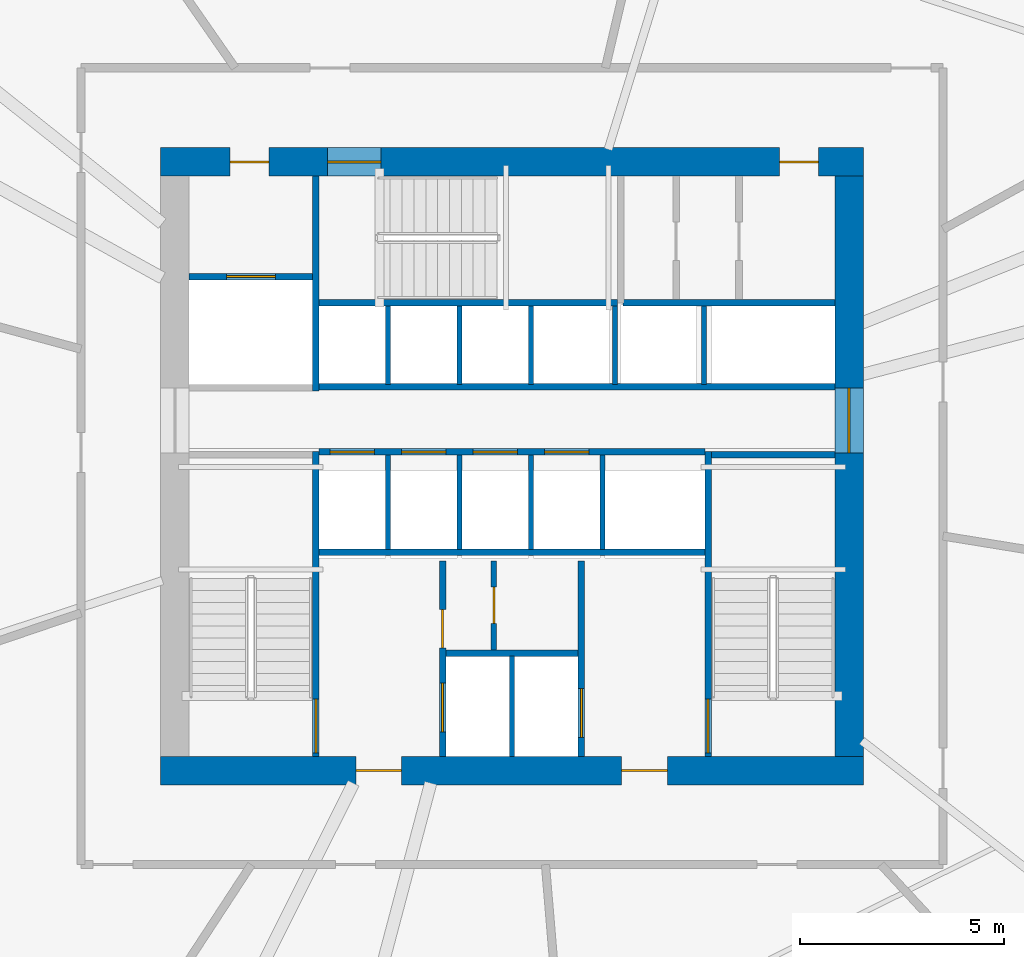
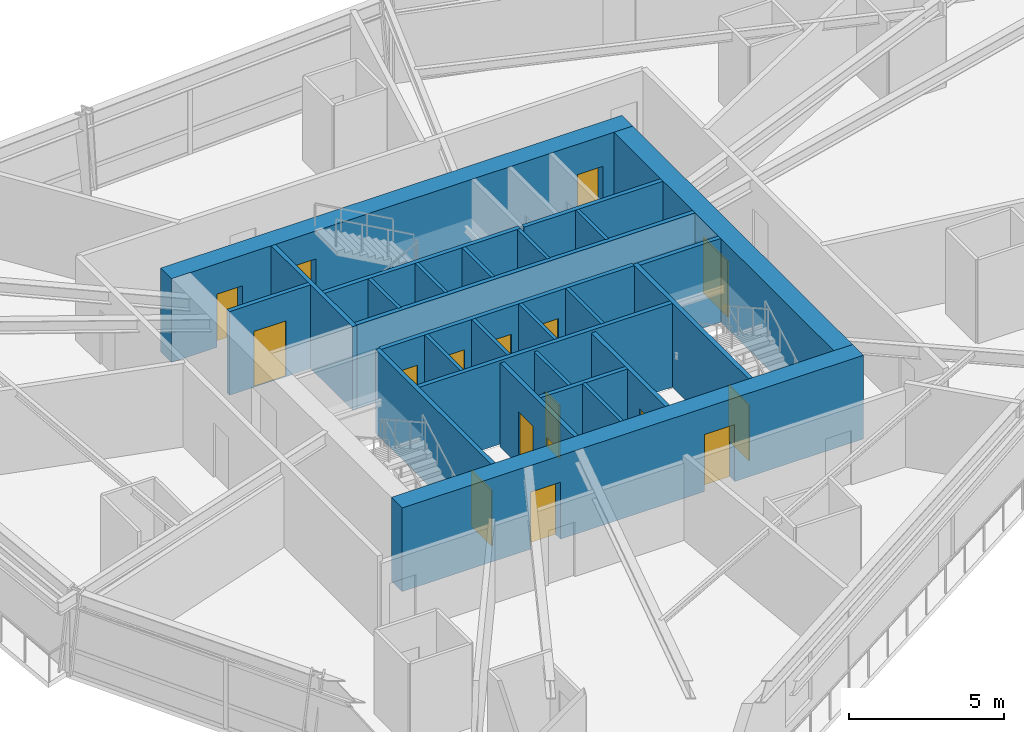
# One storey, part 15 of 21: 27 walls, 17 doors, 17 openings.
"""IFC4 building model written with IfcOpenShell, lengths in metres."""

from ifc_helpers import new_model, si_unit, direction, frame, frame_2d, origin, place, context, subcontext, project, spatial, rectangle, extrude, source, transform, mapped, material, layer, layer_set, type_object, type_shapes, element, fill, save


model = new_model("IFC4")

# Units and contexts
model_context = context("Model", 3, precision=1e-05, world=origin(), true_north=direction((0.0, 1.0)))
body_context = subcontext(model_context, "Body", "Model", "MODEL_VIEW")
ifc_project = project(units=[si_unit("LENGTHUNIT", "METRE"), si_unit("AREAUNIT", "SQUARE_METRE"), si_unit("VOLUMEUNIT", "CUBIC_METRE"), si_unit("PLANEANGLEUNIT", "RADIAN"), si_unit("MASSUNIT", "GRAM", prefix="KILO")], contexts=[model_context])

# Site, building, storey
site_placement = place(None, origin())
site = spatial("IfcSite", under=ifc_project, at=site_placement, CompositionType="ELEMENT")
building_placement = place(site_placement, origin())
building = spatial("IfcBuilding", under=site, at=building_placement, Name="Olszyna Solenne Hotel", CompositionType="ELEMENT")
storey_placement = place(building_placement, frame((0.0, 0.0, 105.699951171875)))
storey = spatial("IfcBuildingStorey", under=building, at=storey_placement, Name="L27", CompositionType="ELEMENT", Elevation=105.699951171875)

# Wall, openings, doors
ifc_material_1 = material(Name="Concrete C60/75", Category="concrete")
ifc_layer_1 = layer(ifc_material_1, 0.699951171875, Name="Concrete C60/75")
ifc_layer_set_1 = layer_set([ifc_layer_1], Name="Concrete C60/75")
wall_type_1 = type_object("IfcWallType", Name="WL-CR700", PredefinedType="SHEAR", material=ifc_layer_set_1)
wall_1_placement = place(storey_placement, frame((46.60009765625, 19.14990234375, 0.0), z_axis=(0.0, 0.0, 1.0), x_axis=(-1.0, 0.0, 0.0)))
wall_1 = element("IfcWall", 1, at=wall_1_placement, inside=storey, type_object=wall_type_1, Name="Core shear wall WL-CR700 CRW-L27-S", PredefinedType="SHEAR", context=body_context, shape_type="SweptSolid", body=[
    extrude(rectangle(XDim=17.2001953125, YDim=0.699951171875, at=frame_2d((8.60009765625, 0.0))), origin(), (0.0, 0.0, 1.0), 3.300048828125),
])
opening_1_placement = place(wall_1_placement, frame((4.800048828125, 0.0, 0.0)))
opening_1 = element("IfcOpeningElement", 2, at=opening_1_placement, cuts=wall_1, Name="Opening FL-L27-1", PredefinedType="OPENING", context=body_context, shape_type="SweptSolid", body=[
    extrude(rectangle(XDim=1.1201171875, YDim=2.25, at=frame_2d((0.56005859375, 1.125))), frame((0.0, 0.35986328125, 0.0), z_axis=(0.0, -1.0, 0.0), x_axis=(1.0, 0.0, 0.0)), (0.0, 0.0, 1.0), 0.719970703125),
])
opening_2_placement = place(wall_1_placement, frame((11.300048828125, 0.0, 0.0)))
opening_2 = element("IfcOpeningElement", 3, at=opening_2_placement, cuts=wall_1, Name="Opening FL-L27-2", PredefinedType="OPENING", context=body_context, shape_type="SweptSolid", body=[
    extrude(rectangle(XDim=1.1201171875, YDim=2.25, at=frame_2d((0.56005859375, 1.125))), frame((0.0, 0.35986328125, 0.0), z_axis=(0.0, -1.0, 0.0), x_axis=(1.0, 0.0, 0.0)), (0.0, 0.0, 1.0), 0.719970703125),
])
ifc_material_2 = material(Name="Steel S355J2", Category="steel")
door_type_1 = type_object("IfcDoorType", Name="DR-FL1", OperationType="NOTDEFINED", PredefinedType="DOOR", material=ifc_material_2)
shared_shape_1 = source(origin(), body_context, "Body", "SweptSolid", [
    extrude(rectangle(XDim=1.1201171875, YDim=2.25, at=frame_2d((0.56005859375, 1.125))), frame((0.0, 0.02490234375, 0.0), z_axis=(0.0, -1.0, 0.0), x_axis=(1.0, 0.0, 0.0)), (0.0, 0.0, 1.0), 0.050048828125),
])
type_shapes(door_type_1, [shared_shape_1])
door_1_placement = place(opening_1_placement, origin())
door_1 = element("IfcDoor", 4, at=door_1_placement, inside=storey, type_object=door_type_1, Name="Firefighting lift lobby smoke door FL-L27-1", OperationType="SINGLE_SWING_LEFT", OverallHeight=2.25, OverallWidth=1.1201171875, PredefinedType="DOOR", context=body_context, shape_type="MappedRepresentation", body=[
    mapped(shared_shape_1, transform((0.0, 0.0, 0.0), x_axis=(1.0, 0.0, 0.0), y_axis=(0.0, 1.0, 0.0), z_axis=(0.0, 0.0, 1.0), scale=1.0)),
])
fill(opening_1, door_1)
door_2_placement = place(opening_2_placement, origin())
door_2 = element("IfcDoor", 5, at=door_2_placement, inside=storey, type_object=door_type_1, Name="Firefighting lift lobby smoke door FL-L27-2", OperationType="SINGLE_SWING_RIGHT", OverallHeight=2.25, OverallWidth=1.1201171875, PredefinedType="DOOR", context=body_context, shape_type="MappedRepresentation", body=[
    mapped(shared_shape_1, transform((0.0, 0.0, 0.0), x_axis=(1.0, 0.0, 0.0), y_axis=(0.0, 1.0, 0.0), z_axis=(0.0, 0.0, 1.0), scale=1.0)),
])
fill(opening_2, door_2)

wall_2_placement = place(storey_placement, frame((29.39990234375, 34.050048828125, 0.0), z_axis=(0.0, 0.0, 1.0), x_axis=(1.0, 0.0, 0.0)))
wall_2 = element("IfcWall", 6, at=wall_2_placement, inside=storey, type_object=wall_type_1, Name="Core shear wall WL-CR700 CRW-L27-N", PredefinedType="SHEAR", context=body_context, shape_type="SweptSolid", body=[
    extrude(rectangle(XDim=17.2001953125, YDim=0.699951171875, at=frame_2d((8.60009765625, 0.0))), origin(), (0.0, 0.0, 1.0), 3.300048828125),
])
opening_3_placement = place(wall_2_placement, frame((1.699951171875, 0.0, 0.0)))
opening_3 = element("IfcOpeningElement", 7, at=opening_3_placement, cuts=wall_2, Name="Opening SVD-L27-01", PredefinedType="OPENING", context=body_context, shape_type="SweptSolid", body=[
    extrude(rectangle(XDim=0.949951171875, YDim=2.10009765625, at=frame_2d((0.47509765625, 1.050048828125))), frame((0.0, 0.35986328125, 0.0), z_axis=(0.0, -1.0, 0.0), x_axis=(1.0, 0.0, 0.0)), (0.0, 0.0, 1.0), 0.719970703125),
])
opening_4_placement = place(wall_2_placement, frame((4.080078125, 0.0, 0.0)))
opening_4 = element("IfcOpeningElement", 8, at=opening_4_placement, cuts=wall_2, Name="Opening STD-L27-03", PredefinedType="OPENING", context=body_context, shape_type="SweptSolid", body=[
    extrude(rectangle(XDim=1.320068359375, YDim=2.199951171875, at=frame_2d((0.66015625, 1.10009765625))), frame((0.0, 0.35986328125, 0.0), z_axis=(0.0, -1.0, 0.0), x_axis=(1.0, 0.0, 0.0)), (0.0, 0.0, 1.0), 0.719970703125),
])
opening_5_placement = place(wall_2_placement, frame((15.14990234375, 0.0, 0.0)))
opening_5 = element("IfcOpeningElement", 9, at=opening_5_placement, cuts=wall_2, Name="Opening SVD-L27-BN", PredefinedType="OPENING", context=body_context, shape_type="SweptSolid", body=[
    extrude(rectangle(XDim=0.949951171875, YDim=2.10009765625, at=frame_2d((0.47509765625, 1.050048828125))), frame((0.0, 0.35986328125, 0.0), z_axis=(0.0, -1.0, 0.0), x_axis=(1.0, 0.0, 0.0)), (0.0, 0.0, 1.0), 0.719970703125),
])
door_type_2 = type_object("IfcDoorType", Name="DR-ST1", OperationType="NOTDEFINED", PredefinedType="DOOR", material=ifc_material_2)
shared_shape_2 = source(origin(), body_context, "Body", "SweptSolid", [
    extrude(rectangle(XDim=1.320068359375, YDim=2.199951171875, at=frame_2d((0.66015625, 1.10009765625))), frame((0.0, 0.02490234375, 0.0), z_axis=(0.0, -1.0, 0.0), x_axis=(1.0, 0.0, 0.0)), (0.0, 0.0, 1.0), 0.050048828125),
])
type_shapes(door_type_2, [shared_shape_2])
door_3_placement = place(opening_4_placement, origin())
door_3 = element("IfcDoor", 10, at=door_3_placement, inside=storey, type_object=door_type_2, Name="Pressurised exit stair ST3 fire door STD-L27-03", OperationType="SINGLE_SWING_RIGHT", OverallHeight=2.199951171875, OverallWidth=1.320068359375, PredefinedType="DOOR", context=body_context, shape_type="MappedRepresentation", body=[
    mapped(shared_shape_2, transform((0.0, 0.0, 0.0), x_axis=(1.0, 0.0, 0.0), y_axis=(0.0, 1.0, 0.0), z_axis=(0.0, 0.0, 1.0), scale=1.0)),
])
fill(opening_4, door_3)
door_type_3 = type_object("IfcDoorType", Name="DR-SV1", OperationType="NOTDEFINED", PredefinedType="DOOR", material=ifc_material_2)
shared_shape_3 = source(origin(), body_context, "Body", "SweptSolid", [
    extrude(rectangle(XDim=0.949951171875, YDim=2.10009765625, at=frame_2d((0.47509765625, 1.050048828125))), frame((0.0, 0.02490234375, 0.0), z_axis=(0.0, -1.0, 0.0), x_axis=(1.0, 0.0, 0.0)), (0.0, 0.0, 1.0), 0.050048828125),
])
type_shapes(door_type_3, [shared_shape_3])
door_4_placement = place(opening_3_placement, origin())
door_4 = element("IfcDoor", 11, at=door_4_placement, inside=storey, type_object=door_type_3, Name="Service lift lobby fire door SVD-L27-01", OperationType="SINGLE_SWING_LEFT", OverallHeight=2.10009765625, OverallWidth=0.949951171875, PredefinedType="DOOR", context=body_context, shape_type="MappedRepresentation", body=[
    mapped(shared_shape_3, transform((0.0, 0.0, 0.0), x_axis=(1.0, 0.0, 0.0), y_axis=(0.0, 1.0, 0.0), z_axis=(0.0, 0.0, 1.0), scale=1.0)),
])
fill(opening_3, door_4)
door_5_placement = place(opening_5_placement, origin())
door_5 = element("IfcDoor", 12, at=door_5_placement, inside=storey, type_object=door_type_3, Name="Housekeeping core fire door SVD-L27-BN", OperationType="SINGLE_SWING_LEFT", OverallHeight=2.10009765625, OverallWidth=0.949951171875, PredefinedType="DOOR", context=body_context, shape_type="MappedRepresentation", body=[
    mapped(shared_shape_3, transform((0.0, 0.0, 0.0), x_axis=(1.0, 0.0, 0.0), y_axis=(0.0, 1.0, 0.0), z_axis=(0.0, 0.0, 1.0), scale=1.0)),
])
fill(opening_5, door_5)

# Wall, opening, door
wall_3_placement = place(storey_placement, frame((46.25, 33.699951171875, 0.0), z_axis=(0.0, 0.0, 1.0), x_axis=(0.0, -1.0, 0.0)))
wall_3 = element("IfcWall", 13, at=wall_3_placement, inside=storey, type_object=wall_type_1, Name="Core shear wall WL-CR700 CRW-L27-E", PredefinedType="SHEAR", context=body_context, shape_type="SweptSolid", body=[
    extrude(rectangle(XDim=14.199951171875, YDim=0.699951171875, at=frame_2d((7.10009765625, 0.0))), origin(), (0.0, 0.0, 1.0), 3.300048828125),
])
opening_6_placement = place(wall_3_placement, frame((5.179931640625, 0.0, 0.0)))
opening_6 = element("IfcOpeningElement", 14, at=opening_6_placement, cuts=wall_3, Name="Opening LHD-L27-E", PredefinedType="OPENING", context=body_context, shape_type="SweptSolid", body=[
    extrude(rectangle(XDim=1.60009765625, YDim=2.199951171875, at=frame_2d((0.800048828125, 1.10009765625))), frame((0.0, 0.35986328125, 0.0), z_axis=(0.0, -1.0, 0.0), x_axis=(1.0, 0.0, 0.0)), (0.0, 0.0, 1.0), 0.719970703125),
])
ifc_material_3 = material(Name="Timber hardwood", Category="wood")
door_type_4 = type_object("IfcDoorType", Name="DR-CR1", OperationType="DOUBLE_DOOR_SINGLE_SWING", PredefinedType="DOOR", material=ifc_material_3)
shared_shape_4 = source(origin(), body_context, "Body", "SweptSolid", [
    extrude(rectangle(XDim=1.60009765625, YDim=2.199951171875, at=frame_2d((0.800048828125, 1.10009765625))), frame((0.0, 0.02490234375, 0.0), z_axis=(0.0, -1.0, 0.0), x_axis=(1.0, 0.0, 0.0)), (0.0, 0.0, 1.0), 0.050048828125),
])
type_shapes(door_type_4, [shared_shape_4])
door_6_placement = place(opening_6_placement, origin())
door_6 = element("IfcDoor", 15, at=door_6_placement, inside=storey, type_object=door_type_4, Name="Passenger lift lobby East fire door LHD-L27-E", OperationType="DOUBLE_DOOR_SINGLE_SWING", OverallHeight=2.199951171875, OverallWidth=1.60009765625, PredefinedType="DOOR", context=body_context, shape_type="MappedRepresentation", body=[
    mapped(shared_shape_4, transform((0.0, 0.0, 0.0), x_axis=(1.0, 0.0, 0.0), y_axis=(0.0, 1.0, 0.0), z_axis=(0.0, 0.0, 1.0), scale=1.0)),
])
fill(opening_6, door_6)

# Wall
ifc_material_4 = material(Name="Acoustic gypsum partition", Category="gypsum")
ifc_layer_2 = layer(ifc_material_4, 0.125, Name="Acoustic gypsum partition")
ifc_layer_set_2 = layer_set([ifc_layer_2], Name="Acoustic gypsum partition")
wall_type_2 = type_object("IfcWallType", Name="WL-PT125", PredefinedType="PARTITIONING", material=ifc_layer_set_2)
wall_4_placement = place(storey_placement, frame((38.0, 19.5, 0.0), z_axis=(0.0, 0.0, 1.0), x_axis=(0.0, 1.0, 0.0)))
element("IfcWall", 16, at=wall_4_placement, inside=storey, type_object=wall_type_2, Name="Core shaft compartment wall CW-L27-FFM", PredefinedType="PARTITIONING", context=body_context, shape_type="SweptSolid", body=[
    extrude(rectangle(XDim=2.4599609375, YDim=0.125, at=frame_2d((1.22998046875, 0.0))), origin(), (0.0, 0.0, 1.0), 3.300048828125),
])

# Wall, opening, door
wall_5_placement = place(storey_placement, frame((37.553955078125, 22.10009765625, 0.0), z_axis=(0.0, 0.0, 1.0), x_axis=(0.0, 1.0, 0.0)))
wall_5 = element("IfcWall", 17, at=wall_5_placement, inside=storey, type_object=wall_type_2, Name="Core shaft compartment wall CW-L27-SC3", PredefinedType="PARTITIONING", context=body_context, shape_type="SweptSolid", body=[
    extrude(rectangle(XDim=2.179931640625, YDim=0.125, at=frame_2d((1.08984375, 0.0))), origin(), (0.0, 0.0, 1.0), 3.300048828125),
])
opening_7_placement = place(wall_5_placement, frame((0.64990234375, 0.0, 0.0)))
opening_7 = element("IfcOpeningElement", 18, at=opening_7_placement, cuts=wall_5, Name="Opening SVD-L27-SC3", PredefinedType="OPENING", context=body_context, shape_type="SweptSolid", body=[
    extrude(rectangle(XDim=0.89990234375, YDim=2.10009765625, at=frame_2d((0.449951171875, 1.050048828125))), frame((0.0, 0.072509765625, 0.0), z_axis=(0.0, -1.0, 0.0), x_axis=(1.0, 0.0, 0.0)), (0.0, 0.0, 1.0), 0.14501953125),
])
door_type_5 = type_object("IfcDoorType", Name="DR-WC1", OperationType="NOTDEFINED", PredefinedType="DOOR", material=ifc_material_3)
shared_shape_5 = source(origin(), body_context, "Body", "SweptSolid", [
    extrude(rectangle(XDim=0.89990234375, YDim=2.10009765625, at=frame_2d((0.449951171875, 1.050048828125))), frame((0.0, 0.02490234375, 0.0), z_axis=(0.0, -1.0, 0.0), x_axis=(1.0, 0.0, 0.0)), (0.0, 0.0, 1.0), 0.050048828125),
])
type_shapes(door_type_5, [shared_shape_5])
door_7_placement = place(opening_7_placement, origin())
door_7 = element("IfcDoor", 19, at=door_7_placement, inside=storey, type_object=door_type_5, Name="Trolley bay door SVD-L27-SC3", OperationType="SINGLE_SWING_LEFT", OverallHeight=2.10009765625, OverallWidth=0.89990234375, PredefinedType="DOOR", context=body_context, shape_type="MappedRepresentation", body=[
    mapped(shared_shape_5, transform((0.0, 0.0, 0.0), x_axis=(1.0, 0.0, 0.0), y_axis=(0.0, 1.0, 0.0), z_axis=(0.0, 0.0, 1.0), scale=1.0)),
])
fill(opening_7, door_7)

# Walls
for number, where, z_axis, x_axis, name in (
    (20, (34.965087890625, 24.56005859375, 0.0), (0.0, 0.0, 1.0), (0.0, 1.0, 0.0), "Core shaft compartment wall CW-L27-DIVS349"),
    (21, (36.715087890625, 24.56005859375, 0.0), (0.0, 0.0, 1.0), (0.0, 1.0, 0.0), "Core shaft compartment wall CW-L27-DIVS367"),
    (22, (38.465087890625, 24.56005859375, 0.0), (0.0, 0.0, 1.0), (0.0, 1.0, 0.0), "Core shaft compartment wall CW-L27-DIVS384"),
    (23, (40.215087890625, 24.56005859375, 0.0), (0.0, 0.0, 1.0), (0.0, 1.0, 0.0), "Core shaft compartment wall CW-L27-DIVS402"),
):
    element("IfcWall", number, at=place(storey_placement, frame(where, z_axis=z_axis, x_axis=x_axis)), inside=storey, type_object=wall_type_2, Name=name, PredefinedType="PARTITIONING", context=body_context, shape_type="SweptSolid", body=[
        extrude(rectangle(XDim=2.31005859375, YDim=0.125, at=frame_2d((1.155029296875, 0.0))), origin(), (0.0, 0.0, 1.0), 3.300048828125),
    ])
for number, where, z_axis, x_axis, name in (
    (24, (34.965087890625, 28.60009765625, 0.0), (0.0, 0.0, 1.0), (0.0, 1.0, 0.0), "Core shaft compartment wall CW-L27-DIVN349"),
    (25, (36.715087890625, 28.60009765625, 0.0), (0.0, 0.0, 1.0), (0.0, 1.0, 0.0), "Core shaft compartment wall CW-L27-DIVN367"),
    (26, (38.465087890625, 28.60009765625, 0.0), (0.0, 0.0, 1.0), (0.0, 1.0, 0.0), "Core shaft compartment wall CW-L27-DIVN384"),
    (27, (40.52490234375, 28.60009765625, 0.0), (0.0, 0.0, 1.0), (0.0, 1.0, 0.0), "Core shaft compartment wall CW-L27-DIVEX405"),
    (28, (42.699951171875, 28.60009765625, 0.0), (0.0, 0.0, 1.0), (0.0, 1.0, 0.0), "Core shaft compartment wall CW-L27-DIVEX427"),
):
    element("IfcWall", number, at=place(storey_placement, frame(where, z_axis=z_axis, x_axis=x_axis)), inside=storey, type_object=wall_type_2, Name=name, PredefinedType="PARTITIONING", context=body_context, shape_type="SweptSolid", body=[
        extrude(rectangle(XDim=1.919921875, YDim=0.125, at=frame_2d((0.9599609375, 0.0))), origin(), (0.0, 0.0, 1.0), 3.300048828125),
    ])

# Wall, opening, door
ifc_layer_3 = layer(ifc_material_4, 0.159912109375, Name="Acoustic gypsum partition")
ifc_layer_set_3 = layer_set([ifc_layer_3], Name="Acoustic gypsum partition")
wall_type_3 = type_object("IfcWallType", Name="WL-PT160", PredefinedType="PARTITIONING", material=ifc_layer_set_3)
wall_6_placement = place(storey_placement, frame((33.199951171875, 19.5, 0.0), z_axis=(0.0, 0.0, 1.0), x_axis=(0.0, 1.0, 0.0)))
wall_6 = element("IfcWall", 29, at=wall_6_placement, inside=storey, type_object=wall_type_3, Name="Core shaft compartment wall CW-L27-ST1E", PredefinedType="PARTITIONING", context=body_context, shape_type="SweptSolid", body=[
    extrude(rectangle(XDim=7.4599609375, YDim=0.159912109375, at=frame_2d((3.72998046875, 0.0))), origin(), (0.0, 0.0, 1.0), 3.300048828125),
])
opening_8_placement = place(wall_6_placement, frame((0.080078125, 0.0, 0.0)))
opening_8 = element("IfcOpeningElement", 30, at=opening_8_placement, cuts=wall_6, Name="Opening STD-L27-01", PredefinedType="OPENING", context=body_context, shape_type="SweptSolid", body=[
    extrude(rectangle(XDim=1.320068359375, YDim=2.199951171875, at=frame_2d((0.66015625, 1.10009765625))), frame((0.0, 0.08984375, 0.0), z_axis=(0.0, -1.0, 0.0), x_axis=(1.0, 0.0, 0.0)), (0.0, 0.0, 1.0), 0.179931640625),
])
door_8_placement = place(opening_8_placement, origin())
door_8 = element("IfcDoor", 31, at=door_8_placement, inside=storey, type_object=door_type_2, Name="Pressurised exit stair ST1 fire door STD-L27-01", OperationType="SINGLE_SWING_LEFT", OverallHeight=2.199951171875, OverallWidth=1.320068359375, PredefinedType="DOOR", context=body_context, shape_type="MappedRepresentation", body=[
    mapped(shared_shape_2, transform((0.0, 0.0, 0.0), x_axis=(1.0, 0.0, 0.0), y_axis=(0.0, 1.0, 0.0), z_axis=(0.0, 0.0, 1.0), scale=1.0)),
])
fill(opening_8, door_8)

wall_7_placement = place(storey_placement, frame((42.800048828125, 26.9599609375, 0.0), z_axis=(0.0, 0.0, 1.0), x_axis=(0.0, -1.0, 0.0)))
wall_7 = element("IfcWall", 32, at=wall_7_placement, inside=storey, type_object=wall_type_3, Name="Core shaft compartment wall CW-L27-ST2W", PredefinedType="PARTITIONING", context=body_context, shape_type="SweptSolid", body=[
    extrude(rectangle(XDim=7.4599609375, YDim=0.159912109375, at=frame_2d((3.72998046875, 0.0))), origin(), (0.0, 0.0, 1.0), 3.300048828125),
])
opening_9_placement = place(wall_7_placement, frame((6.06005859375, 0.0, 0.0)))
opening_9 = element("IfcOpeningElement", 33, at=opening_9_placement, cuts=wall_7, Name="Opening STD-L27-02", PredefinedType="OPENING", context=body_context, shape_type="SweptSolid", body=[
    extrude(rectangle(XDim=1.320068359375, YDim=2.199951171875, at=frame_2d((0.66015625, 1.10009765625))), frame((0.0, 0.08984375, 0.0), z_axis=(0.0, -1.0, 0.0), x_axis=(1.0, 0.0, 0.0)), (0.0, 0.0, 1.0), 0.179931640625),
])
door_9_placement = place(opening_9_placement, origin())
door_9 = element("IfcDoor", 34, at=door_9_placement, inside=storey, type_object=door_type_2, Name="Pressurised exit stair ST2 fire door STD-L27-02", OperationType="SINGLE_SWING_RIGHT", OverallHeight=2.199951171875, OverallWidth=1.320068359375, PredefinedType="DOOR", context=body_context, shape_type="MappedRepresentation", body=[
    mapped(shared_shape_2, transform((0.0, 0.0, 0.0), x_axis=(1.0, 0.0, 0.0), y_axis=(0.0, 1.0, 0.0), z_axis=(0.0, 0.0, 1.0), scale=1.0)),
])
fill(opening_9, door_9)

# Walls
wall_8_placement = place(storey_placement, frame((42.8798828125, 26.8798828125, 0.0), z_axis=(0.0, 0.0, 1.0), x_axis=(1.0, 0.0, 0.0)))
element("IfcWall", 35, at=wall_8_placement, inside=storey, type_object=wall_type_3, Name="Core shaft compartment wall CW-L27-ST2N", PredefinedType="PARTITIONING", context=body_context, shape_type="SweptSolid", body=[
    extrude(rectangle(XDim=3.02001953125, YDim=0.159912109375, at=frame_2d((1.510009765625, 0.0))), origin(), (0.0, 0.0, 1.0), 3.300048828125),
])
wall_9_placement = place(storey_placement, frame((33.280029296875, 30.60009765625, 0.0), z_axis=(0.0, 0.0, 1.0), x_axis=(1.0, 0.0, 0.0)))
element("IfcWall", 36, at=wall_9_placement, inside=storey, type_object=wall_type_3, Name="Core shaft compartment wall CW-L27-ST3S", PredefinedType="PARTITIONING", context=body_context, shape_type="SweptSolid", body=[
    extrude(rectangle(XDim=7.300048828125, YDim=0.159912109375, at=frame_2d((3.64990234375, 0.0))), origin(), (0.0, 0.0, 1.0), 3.300048828125),
])

# Wall, openings, doors
wall_10_placement = place(storey_placement, frame((36.300048828125, 19.5, 0.0), z_axis=(0.0, 0.0, 1.0), x_axis=(0.0, 1.0, 0.0)))
wall_10 = element("IfcWall", 37, at=wall_10_placement, inside=storey, type_object=wall_type_3, Name="Core shaft compartment wall CW-L27-FF1W", PredefinedType="PARTITIONING", context=body_context, shape_type="SweptSolid", body=[
    extrude(rectangle(XDim=4.780029296875, YDim=0.159912109375, at=frame_2d((2.39013671875, 0.0))), origin(), (0.0, 0.0, 1.0), 3.300048828125),
])
opening_10_placement = place(wall_10_placement, frame((0.60009765625, 0.0, 0.0)))
opening_10 = element("IfcOpeningElement", 38, at=opening_10_placement, cuts=wall_10, Name="Opening LD-L27-FF1", PredefinedType="OPENING", context=body_context, shape_type="SweptSolid", body=[
    extrude(rectangle(XDim=1.199951171875, YDim=2.199951171875, at=frame_2d((0.60009765625, 1.10009765625))), frame((0.0, 0.08984375, 0.0), z_axis=(0.0, -1.0, 0.0), x_axis=(1.0, 0.0, 0.0)), (0.0, 0.0, 1.0), 0.179931640625),
])
opening_11_placement = place(wall_10_placement, frame((2.64990234375, 0.0, 0.0)))
opening_11 = element("IfcOpeningElement", 39, at=opening_11_placement, cuts=wall_10, Name="Opening SVD-L27-SMK", PredefinedType="OPENING", context=body_context, shape_type="SweptSolid", body=[
    extrude(rectangle(XDim=0.949951171875, YDim=2.10009765625, at=frame_2d((0.47509765625, 1.050048828125))), frame((0.0, 0.08984375, 0.0), z_axis=(0.0, -1.0, 0.0), x_axis=(1.0, 0.0, 0.0)), (0.0, 0.0, 1.0), 0.179931640625),
])
door_10_placement = place(opening_11_placement, origin())
door_10 = element("IfcDoor", 40, at=door_10_placement, inside=storey, type_object=door_type_3, Name="Valet and core service room door SVD-L27-SMK", OperationType="SINGLE_SWING_LEFT", OverallHeight=2.10009765625, OverallWidth=0.949951171875, PredefinedType="DOOR", context=body_context, shape_type="MappedRepresentation", body=[
    mapped(shared_shape_3, transform((0.0, 0.0, 0.0), x_axis=(1.0, 0.0, 0.0), y_axis=(0.0, 1.0, 0.0), z_axis=(0.0, 0.0, 1.0), scale=1.0)),
])
fill(opening_11, door_10)
door_type_6 = type_object("IfcDoorType", Name="LD-FF1", OperationType="DOUBLE_DOOR_SLIDING", PredefinedType="DOOR", material=ifc_material_2)
shared_shape_6 = source(origin(), body_context, "Body", "SweptSolid", [
    extrude(rectangle(XDim=1.199951171875, YDim=2.199951171875, at=frame_2d((0.60009765625, 1.10009765625))), frame((0.0, 0.02490234375, 0.0), z_axis=(0.0, -1.0, 0.0), x_axis=(1.0, 0.0, 0.0)), (0.0, 0.0, 1.0), 0.050048828125),
])
type_shapes(door_type_6, [shared_shape_6])
door_11_placement = place(opening_10_placement, origin())
door_11 = element("IfcDoor", 41, at=door_11_placement, inside=storey, type_object=door_type_6, Name="Firefighters lift FF1 sliding landing door LD-L27-FF1", OperationType="DOUBLE_DOOR_SLIDING", OverallHeight=2.199951171875, OverallWidth=1.199951171875, PredefinedType="DOOR", context=body_context, shape_type="MappedRepresentation", body=[
    mapped(shared_shape_6, transform((0.0, 0.0, 0.0), x_axis=(1.0, 0.0, 0.0), y_axis=(0.0, 1.0, 0.0), z_axis=(0.0, 0.0, 1.0), scale=1.0)),
])
fill(opening_10, door_11)

# Wall, opening, door
wall_11_placement = place(storey_placement, frame((39.699951171875, 24.280029296875, 0.0), z_axis=(0.0, 0.0, 1.0), x_axis=(0.0, -1.0, 0.0)))
wall_11 = element("IfcWall", 42, at=wall_11_placement, inside=storey, type_object=wall_type_3, Name="Core shaft compartment wall CW-L27-FF2E", PredefinedType="PARTITIONING", context=body_context, shape_type="SweptSolid", body=[
    extrude(rectangle(XDim=4.780029296875, YDim=0.159912109375, at=frame_2d((2.39013671875, 0.0))), origin(), (0.0, 0.0, 1.0), 3.300048828125),
])
opening_12_placement = place(wall_11_placement, frame((3.1201171875, 0.0, 0.0)))
opening_12 = element("IfcOpeningElement", 43, at=opening_12_placement, cuts=wall_11, Name="Opening LD-L27-FF2", PredefinedType="OPENING", context=body_context, shape_type="SweptSolid", body=[
    extrude(rectangle(XDim=1.199951171875, YDim=2.199951171875, at=frame_2d((0.60009765625, 1.10009765625))), frame((0.0, 0.08984375, 0.0), z_axis=(0.0, -1.0, 0.0), x_axis=(1.0, 0.0, 0.0)), (0.0, 0.0, 1.0), 0.179931640625),
])
door_12_placement = place(opening_12_placement, origin())
door_12 = element("IfcDoor", 44, at=door_12_placement, inside=storey, type_object=door_type_6, Name="Firefighters lift FF2 sliding landing door LD-L27-FF2", OperationType="DOUBLE_DOOR_SLIDING", OverallHeight=2.199951171875, OverallWidth=1.199951171875, PredefinedType="DOOR", context=body_context, shape_type="MappedRepresentation", body=[
    mapped(shared_shape_6, transform((0.0, 0.0, 0.0), x_axis=(1.0, 0.0, 0.0), y_axis=(0.0, 1.0, 0.0), z_axis=(0.0, 0.0, 1.0), scale=1.0)),
])
fill(opening_12, door_12)

# Walls
wall_12_placement = place(storey_placement, frame((36.3798828125, 22.02001953125, 0.0), z_axis=(0.0, 0.0, 1.0), x_axis=(1.0, 0.0, 0.0)))
element("IfcWall", 45, at=wall_12_placement, inside=storey, type_object=wall_type_3, Name="Core shaft compartment wall CW-L27-FFN", PredefinedType="PARTITIONING", context=body_context, shape_type="SweptSolid", body=[
    extrude(rectangle(XDim=3.240234375, YDim=0.159912109375, at=frame_2d((1.6201171875, 0.0))), origin(), (0.0, 0.0, 1.0), 3.300048828125),
])
wall_13_placement = place(storey_placement, frame((33.280029296875, 24.489990234375, 0.0), z_axis=(0.0, 0.0, 1.0), x_axis=(1.0, 0.0, 0.0)))
element("IfcWall", 46, at=wall_13_placement, inside=storey, type_object=wall_type_3, Name="Core shaft compartment wall CW-L27-FFBN", PredefinedType="PARTITIONING", context=body_context, shape_type="SweptSolid", body=[
    extrude(rectangle(XDim=9.43994140625, YDim=0.159912109375, at=frame_2d((4.719970703125, 0.0))), origin(), (0.0, 0.0, 1.0), 3.300048828125),
])
wall_14_placement = place(storey_placement, frame((33.199951171875, 28.43994140625, 0.0), z_axis=(0.0, 0.0, 1.0), x_axis=(0.0, 1.0, 0.0)))
element("IfcWall", 47, at=wall_14_placement, inside=storey, type_object=wall_type_3, Name="Core shaft compartment wall CW-L27-SV1E", PredefinedType="PARTITIONING", context=body_context, shape_type="SweptSolid", body=[
    extrude(rectangle(XDim=5.260009765625, YDim=0.159912109375, at=frame_2d((2.6298828125, 0.0))), origin(), (0.0, 0.0, 1.0), 3.300048828125),
])

# Wall, opening, door
wall_15_placement = place(storey_placement, frame((30.10009765625, 31.239990234375, 0.0), z_axis=(0.0, 0.0, 1.0), x_axis=(1.0, 0.0, 0.0)))
wall_15 = element("IfcWall", 48, at=wall_15_placement, inside=storey, type_object=wall_type_3, Name="Core shaft compartment wall CW-L27-SV1N", PredefinedType="PARTITIONING", context=body_context, shape_type="SweptSolid", body=[
    extrude(rectangle(XDim=3.02001953125, YDim=0.159912109375, at=frame_2d((1.510009765625, 0.0))), origin(), (0.0, 0.0, 1.0), 3.300048828125),
])
opening_13_placement = place(wall_15_placement, frame((0.909912109375, 0.0, 0.0)))
opening_13 = element("IfcOpeningElement", 49, at=opening_13_placement, cuts=wall_15, Name="Opening LD-L27-SV1", PredefinedType="OPENING", context=body_context, shape_type="SweptSolid", body=[
    extrude(rectangle(XDim=1.199951171875, YDim=2.199951171875, at=frame_2d((0.60009765625, 1.10009765625))), frame((0.0, 0.08984375, 0.0), z_axis=(0.0, -1.0, 0.0), x_axis=(1.0, 0.0, 0.0)), (0.0, 0.0, 1.0), 0.179931640625),
])
door_13_placement = place(opening_13_placement, origin())
door_13 = element("IfcDoor", 50, at=door_13_placement, inside=storey, type_object=door_type_6, Name="Service lift SV1 sliding landing door LD-L27-SV1", OperationType="DOUBLE_DOOR_SLIDING", OverallHeight=2.199951171875, OverallWidth=1.199951171875, PredefinedType="DOOR", context=body_context, shape_type="MappedRepresentation", body=[
    mapped(shared_shape_6, transform((0.0, 0.0, 0.0), x_axis=(1.0, 0.0, 0.0), y_axis=(0.0, 1.0, 0.0), z_axis=(0.0, 0.0, 1.0), scale=1.0)),
])
fill(opening_13, door_13)

# Wall, openings, doors
wall_16_placement = place(storey_placement, frame((33.280029296875, 26.949951171875, 0.0), z_axis=(0.0, 0.0, 1.0), x_axis=(1.0, 0.0, 0.0)))
wall_16 = element("IfcWall", 51, at=wall_16_placement, inside=storey, type_object=wall_type_3, Name="Core shaft compartment wall CW-L27-LRS", PredefinedType="PARTITIONING", context=body_context, shape_type="SweptSolid", body=[
    extrude(rectangle(XDim=9.43994140625, YDim=0.159912109375, at=frame_2d((4.719970703125, 0.0))), origin(), (0.0, 0.0, 1.0), 3.300048828125),
])
opening_14_placement = place(wall_16_placement, frame((0.260009765625, 0.0, 0.0)))
opening_14 = element("IfcOpeningElement", 52, at=opening_14_placement, cuts=wall_16, Name="Opening LD-L27-PL1", PredefinedType="OPENING", context=body_context, shape_type="SweptSolid", body=[
    extrude(rectangle(XDim=1.10009765625, YDim=2.199951171875, at=frame_2d((0.550048828125, 1.10009765625))), frame((0.0, 0.08984375, 0.0), z_axis=(0.0, -1.0, 0.0), x_axis=(1.0, 0.0, 0.0)), (0.0, 0.0, 1.0), 0.179931640625),
])
opening_15_placement = place(wall_16_placement, frame((2.010009765625, 0.0, 0.0)))
opening_15 = element("IfcOpeningElement", 53, at=opening_15_placement, cuts=wall_16, Name="Opening LD-L27-PL2", PredefinedType="OPENING", context=body_context, shape_type="SweptSolid", body=[
    extrude(rectangle(XDim=1.10009765625, YDim=2.199951171875, at=frame_2d((0.550048828125, 1.10009765625))), frame((0.0, 0.08984375, 0.0), z_axis=(0.0, -1.0, 0.0), x_axis=(1.0, 0.0, 0.0)), (0.0, 0.0, 1.0), 0.179931640625),
])
opening_16_placement = place(wall_16_placement, frame((3.760009765625, 0.0, 0.0)))
opening_16 = element("IfcOpeningElement", 54, at=opening_16_placement, cuts=wall_16, Name="Opening LD-L27-PL3", PredefinedType="OPENING", context=body_context, shape_type="SweptSolid", body=[
    extrude(rectangle(XDim=1.10009765625, YDim=2.199951171875, at=frame_2d((0.550048828125, 1.10009765625))), frame((0.0, 0.08984375, 0.0), z_axis=(0.0, -1.0, 0.0), x_axis=(1.0, 0.0, 0.0)), (0.0, 0.0, 1.0), 0.179931640625),
])
opening_17_placement = place(wall_16_placement, frame((5.510009765625, 0.0, 0.0)))
opening_17 = element("IfcOpeningElement", 55, at=opening_17_placement, cuts=wall_16, Name="Opening LD-L27-PL4", PredefinedType="OPENING", context=body_context, shape_type="SweptSolid", body=[
    extrude(rectangle(XDim=1.10009765625, YDim=2.199951171875, at=frame_2d((0.550048828125, 1.10009765625))), frame((0.0, 0.08984375, 0.0), z_axis=(0.0, -1.0, 0.0), x_axis=(1.0, 0.0, 0.0)), (0.0, 0.0, 1.0), 0.179931640625),
])
door_type_7 = type_object("IfcDoorType", Name="LD-P1", OperationType="DOUBLE_DOOR_SLIDING", PredefinedType="DOOR", material=ifc_material_2)
shared_shape_7 = source(origin(), body_context, "Body", "SweptSolid", [
    extrude(rectangle(XDim=1.10009765625, YDim=2.199951171875, at=frame_2d((0.550048828125, 1.10009765625))), frame((0.0, 0.02490234375, 0.0), z_axis=(0.0, -1.0, 0.0), x_axis=(1.0, 0.0, 0.0)), (0.0, 0.0, 1.0), 0.050048828125),
])
type_shapes(door_type_7, [shared_shape_7])
door_14_placement = place(opening_14_placement, origin())
door_14 = element("IfcDoor", 56, at=door_14_placement, inside=storey, type_object=door_type_7, Name="Passenger lift PL1 sliding landing door LD-L27-PL1", OperationType="DOUBLE_DOOR_SLIDING", OverallHeight=2.199951171875, OverallWidth=1.10009765625, PredefinedType="DOOR", context=body_context, shape_type="MappedRepresentation", body=[
    mapped(shared_shape_7, transform((0.0, 0.0, 0.0), x_axis=(1.0, 0.0, 0.0), y_axis=(0.0, 1.0, 0.0), z_axis=(0.0, 0.0, 1.0), scale=1.0)),
])
fill(opening_14, door_14)
door_15_placement = place(opening_15_placement, origin())
door_15 = element("IfcDoor", 57, at=door_15_placement, inside=storey, type_object=door_type_7, Name="Passenger lift PL2 sliding landing door LD-L27-PL2", OperationType="DOUBLE_DOOR_SLIDING", OverallHeight=2.199951171875, OverallWidth=1.10009765625, PredefinedType="DOOR", context=body_context, shape_type="MappedRepresentation", body=[
    mapped(shared_shape_7, transform((0.0, 0.0, 0.0), x_axis=(1.0, 0.0, 0.0), y_axis=(0.0, 1.0, 0.0), z_axis=(0.0, 0.0, 1.0), scale=1.0)),
])
fill(opening_15, door_15)
door_16_placement = place(opening_16_placement, origin())
door_16 = element("IfcDoor", 58, at=door_16_placement, inside=storey, type_object=door_type_7, Name="Passenger lift PL3 sliding landing door LD-L27-PL3", OperationType="DOUBLE_DOOR_SLIDING", OverallHeight=2.199951171875, OverallWidth=1.10009765625, PredefinedType="DOOR", context=body_context, shape_type="MappedRepresentation", body=[
    mapped(shared_shape_7, transform((0.0, 0.0, 0.0), x_axis=(1.0, 0.0, 0.0), y_axis=(0.0, 1.0, 0.0), z_axis=(0.0, 0.0, 1.0), scale=1.0)),
])
fill(opening_16, door_16)
door_17_placement = place(opening_17_placement, origin())
door_17 = element("IfcDoor", 59, at=door_17_placement, inside=storey, type_object=door_type_7, Name="Passenger lift PL4 sliding landing door LD-L27-PL4", OperationType="DOUBLE_DOOR_SLIDING", OverallHeight=2.199951171875, OverallWidth=1.10009765625, PredefinedType="DOOR", context=body_context, shape_type="MappedRepresentation", body=[
    mapped(shared_shape_7, transform((0.0, 0.0, 0.0), x_axis=(1.0, 0.0, 0.0), y_axis=(0.0, 1.0, 0.0), z_axis=(0.0, 0.0, 1.0), scale=1.0)),
])
fill(opening_17, door_17)

# Walls
wall_17_placement = place(storey_placement, frame((33.280029296875, 28.5400390625, 0.0), z_axis=(0.0, 0.0, 1.0), x_axis=(1.0, 0.0, 0.0)))
element("IfcWall", 60, at=wall_17_placement, inside=storey, type_object=wall_type_3, Name="Core shaft compartment wall CW-L27-LRN", PredefinedType="PARTITIONING", context=body_context, shape_type="SweptSolid", body=[
    extrude(rectangle(XDim=12.619873046875, YDim=0.159912109375, at=frame_2d((6.31005859375, 0.0))), origin(), (0.0, 0.0, 1.0), 3.300048828125),
])
wall_18_placement = place(storey_placement, frame((40.719970703125, 30.60009765625, 0.0), z_axis=(0.0, 0.0, 1.0), x_axis=(1.0, 0.0, 0.0)))
element("IfcWall", 61, at=wall_18_placement, inside=storey, type_object=wall_type_3, Name="Core shaft compartment wall CW-L27-LRNTOP", PredefinedType="PARTITIONING", context=body_context, shape_type="SweptSolid", body=[
    extrude(rectangle(XDim=5.179931640625, YDim=0.159912109375, at=frame_2d((2.58984375, 0.0))), origin(), (0.0, 0.0, 1.0), 3.300048828125),
])

save(model, "model.ifc")
